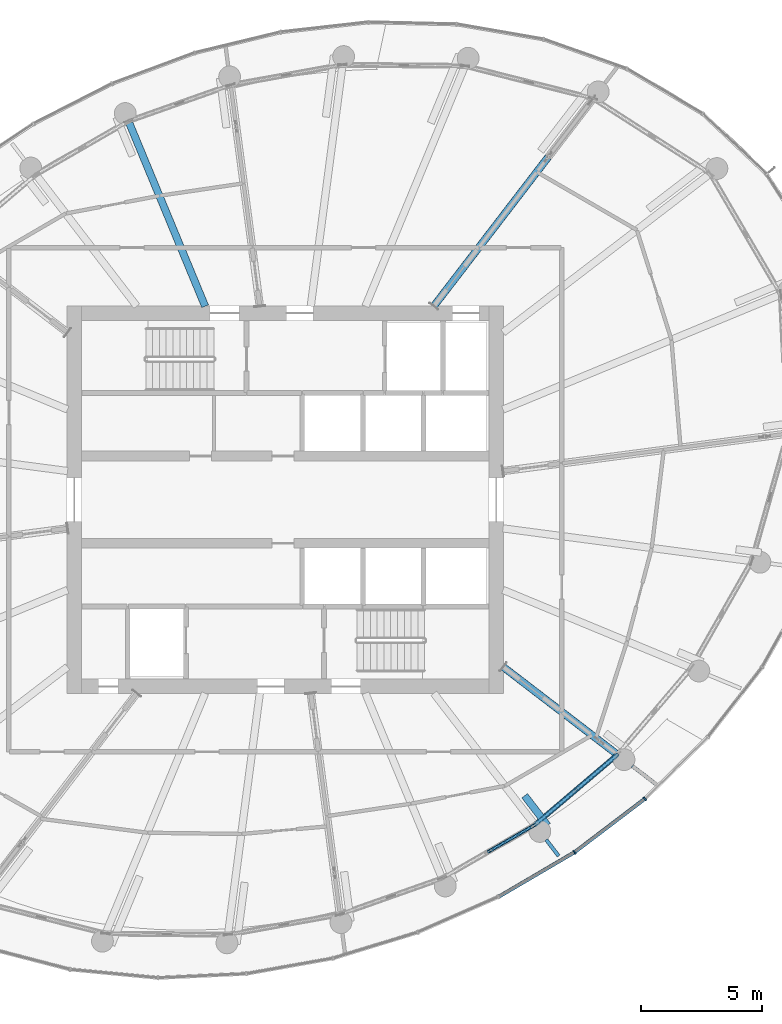
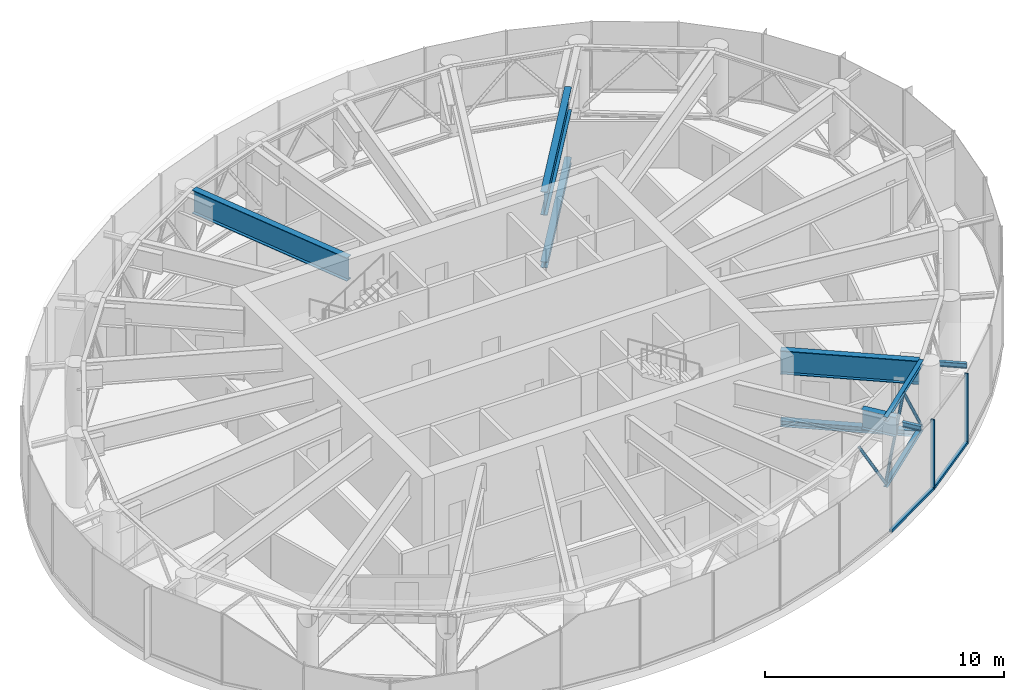
# One storey, part 7 of 26: 11 members, 6 beams, 2 elements without a shape of their own.
"""IFC4 building model written with IfcOpenShell, lengths in metres."""

from ifc_helpers import new_model, si_unit, direction, frame, origin, origin_2d, place, context, subcontext, project, spatial, rectangle, hollow_circle, i_section, extrude, source, transform, mapped, material, layer, layer_set, material_profile, profile_set, type_object, element, aggregate, save


model = new_model("IFC4")

# Units and contexts
model_context = context("Model", 3, precision=1e-05, world=origin(), true_north=direction((0.0, 1.0)))
body_context = subcontext(model_context, "Body", "Model", "MODEL_VIEW")
ifc_project = project(units=[si_unit("LENGTHUNIT", "METRE"), si_unit("AREAUNIT", "SQUARE_METRE"), si_unit("VOLUMEUNIT", "CUBIC_METRE"), si_unit("PLANEANGLEUNIT", "RADIAN"), si_unit("MASSUNIT", "GRAM", prefix="KILO")], contexts=[model_context])

# Site, building, storey
site_placement = place(None, origin())
site = spatial("IfcSite", under=ifc_project, at=site_placement, CompositionType="ELEMENT")
building_placement = place(site_placement, origin())
building = spatial("IfcBuilding", under=site, at=building_placement, Name="Spindrift Exchange Tower", CompositionType="ELEMENT")
storey_placement = place(building_placement, frame((0.0, 0.0, 230.60009765625)))
storey = spatial("IfcBuildingStorey", under=building, at=storey_placement, Name="L56", CompositionType="ELEMENT", Elevation=230.60009765625)

# Beams
ifc_material_1 = material(Name="Steel Grade 300", Category="steel")
ifc_material_profile_1 = material_profile(ifc_material_1, i_section(OverallWidth=0.14599609375, OverallDepth=0.251953125, WebThickness=0.006103515625, FlangeThickness=0.008544921875, FilletRadius=0.011962890625, at=origin_2d()), Name="250UB31.4")
ifc_profile_set_1 = profile_set([ifc_material_profile_1], Name="Steel Grade 300")
beam_type_1 = type_object("IfcBeamType", Name="Cantilever Beam 250UB31.4 Steel Grade 300", PredefinedType="BEAM", material=ifc_profile_set_1)
shared_shape_1 = source(origin(), body_context, "Body", "SweptSolid", [
    extrude(i_section(OverallWidth=0.14599609375, OverallDepth=0.251953125, WebThickness=0.006103515625, FlangeThickness=0.008544921875, FilletRadius=0.011962890625, at=origin_2d()), origin(), (0.0, 0.0, 1.0), 0.845947265625),
])
beam_1_placement = place(storey_placement, frame((62.760986328125, 33.975830078125, 3.453857421875), z_axis=(0.60887368778, -0.793267188487, 0.0), x_axis=(0.793267188487, 0.60887368778, 0.0)))
element("IfcBeam", 1, at=beam_1_placement, inside=storey, type_object=beam_type_1, Name="L56 cantilever beam R21T", PredefinedType="BEAM", context=body_context, shape_type="MappedRepresentation", body=[
    mapped(shared_shape_1, transform((0.0, 0.0, 0.0), scale=1.0)),
])
shared_shape_2 = source(origin(), body_context, "Body", "SweptSolid", [
    extrude(i_section(OverallWidth=0.14599609375, OverallDepth=0.251953125, WebThickness=0.006103515625, FlangeThickness=0.008544921875, FilletRadius=0.011962890625, at=origin_2d()), origin(), (0.0, 0.0, 1.0), 1.15576171875),
])
beam_2_placement = place(storey_placement, frame((66.31201171875, 37.017822265625, 3.453857421875), z_axis=(0.793463533488, -0.608617795521, 0.0), x_axis=(0.608617795521, 0.793463533488, 0.0)))
element("IfcBeam", 2, at=beam_2_placement, inside=storey, type_object=beam_type_1, Name="L56 cantilever beam R22T", PredefinedType="BEAM", context=body_context, shape_type="MappedRepresentation", body=[
    mapped(shared_shape_2, transform((0.0, 0.0, 0.0), scale=1.0)),
])
ifc_material_profile_2 = material_profile(ifc_material_1, i_section(OverallWidth=0.300048828125, OverallDepth=1.199951171875, WebThickness=0.011962890625, FlangeThickness=0.028076171875, at=origin_2d()), Name="1200WB249")
ifc_profile_set_2 = profile_set([ifc_material_profile_2], Name="Steel Grade 300")
beam_type_2 = type_object("IfcBeamType", Name="Transfer Girder 1200WB249 Steel Grade 300", PredefinedType="BEAM", material=ifc_profile_set_2)
shared_shape_3 = source(origin(), body_context, "Body", "SweptSolid", [
    extrude(i_section(OverallWidth=0.300048828125, OverallDepth=1.199951171875, WebThickness=0.011962890625, FlangeThickness=0.028076171875, at=origin_2d()), origin(), (0.0, 0.0, 1.0), 8.1748046875),
])
beam_3_placement = place(storey_placement, frame((48.69384765625, 55.9814453125, 2.97998046875), z_axis=(-0.382655117626, 0.923891260352, 0.0), x_axis=(-0.923891260352, -0.382655117626, 0.0)))
element("IfcBeam", 3, at=beam_3_placement, inside=storey, type_object=beam_type_2, Name="L56 radial beam R08A", PredefinedType="BEAM", context=body_context, shape_type="MappedRepresentation", body=[
    mapped(shared_shape_3, transform((0.0, 0.0, 0.0), scale=1.0)),
])
ifc_material_profile_3 = material_profile(ifc_material_1, i_section(OverallWidth=0.300048828125, OverallDepth=1.199951171875, WebThickness=0.011962890625, FlangeThickness=0.028076171875, at=origin_2d()), Name="1200WB249")
ifc_profile_set_3 = profile_set([ifc_material_profile_3], Name="Steel Grade 300")
beam_type_3 = type_object("IfcBeamType", Name="Outrigger Truss Transfer Girder 1200WB249 Steel Grade 300", PredefinedType="BEAM", material=ifc_profile_set_3)
shared_shape_4 = source(origin(), body_context, "Body", "SweptSolid", [
    extrude(i_section(OverallWidth=0.300048828125, OverallDepth=1.199951171875, WebThickness=0.011962890625, FlangeThickness=0.028076171875, at=origin_2d()), origin(), (0.0, 0.0, 1.0), 7.754150390625),
])
beam_4_placement = place(storey_placement, frame((58.12646484375, 55.984130859375, 2.97998046875), z_axis=(0.608759339456, 0.793354943657, 0.0), x_axis=(-0.793354943657, 0.608759339456, 0.0)))
element("IfcBeam", 4, at=beam_4_placement, inside=storey, type_object=beam_type_3, Name="L56 outrigger truss 04 top chord 1", PredefinedType="BEAM", context=body_context, shape_type="MappedRepresentation", body=[
    mapped(shared_shape_4, transform((0.0, 0.0, 0.0), scale=1.0)),
])

# Member
ifc_material_profile_4 = material_profile(ifc_material_1, i_section(OverallWidth=0.304931640625, OverallDepth=0.30810546875, WebThickness=0.010009765625, FlangeThickness=0.015380859375, FilletRadius=0.0166015625, at=origin_2d()), Name="310UC96.8")
ifc_profile_set_4 = profile_set([ifc_material_profile_4], Name="Steel Grade 300")
member_type_1 = type_object("IfcMemberType", Name="Outrigger Truss Chord 310UC96.8 Steel Grade 300", PredefinedType="CHORD", material=ifc_profile_set_4)
shared_shape_5 = source(origin(), body_context, "Body", "SweptSolid", [
    extrude(i_section(OverallWidth=0.304931640625, OverallDepth=0.30810546875, WebThickness=0.010009765625, FlangeThickness=0.015380859375, FilletRadius=0.0166015625, at=origin_2d()), origin(), (0.0, 0.0, 1.0), 7.754150390625),
])
member_1_placement = place(storey_placement, frame((58.12646484375, 55.984130859375, -0.154052734375), z_axis=(0.608759339456, 0.793354943657, 0.0), x_axis=(-0.793354943657, 0.608759339456, 0.0)))
element("IfcMember", 5, at=member_1_placement, inside=storey, type_object=member_type_1, Name="L56 outrigger truss 04 bottom chord 1", PredefinedType="CHORD", context=body_context, shape_type="MappedRepresentation", body=[
    mapped(shared_shape_5, transform((0.0, 0.0, 0.0), scale=1.0)),
])

# Beam
shared_shape_6 = source(origin(), body_context, "Body", "SweptSolid", [
    extrude(i_section(OverallWidth=0.300048828125, OverallDepth=1.199951171875, WebThickness=0.011962890625, FlangeThickness=0.028076171875, at=origin_2d()), origin(), (0.0, 0.0, 1.0), 5.855712890625),
])
beam_5_placement = place(storey_placement, frame((60.984130859375, 41.106201171875, 2.97998046875), z_axis=(0.793362708479, -0.608749219954, 0.0), x_axis=(0.608749219954, 0.793362708479, 0.0)))
element("IfcBeam", 6, at=beam_5_placement, inside=storey, type_object=beam_type_3, Name="L56 outrigger truss 22 top chord 1", PredefinedType="BEAM", context=body_context, shape_type="MappedRepresentation", body=[
    mapped(shared_shape_6, transform((0.0, 0.0, 0.0), scale=1.0)),
])

# Members
shared_shape_7 = source(origin(), body_context, "Body", "SweptSolid", [
    extrude(i_section(OverallWidth=0.304931640625, OverallDepth=0.30810546875, WebThickness=0.010009765625, FlangeThickness=0.015380859375, FilletRadius=0.0166015625, at=origin_2d()), origin(), (0.0, 0.0, 1.0), 5.855712890625),
])
member_2_placement = place(storey_placement, frame((60.984130859375, 41.106201171875, -0.154052734375), z_axis=(0.793362708479, -0.608749219954, 0.0), x_axis=(0.608749219954, 0.793362708479, 0.0)))
element("IfcMember", 7, at=member_2_placement, inside=storey, type_object=member_type_1, Name="L56 outrigger truss 22 bottom chord 1", PredefinedType="CHORD", context=body_context, shape_type="MappedRepresentation", body=[
    mapped(shared_shape_7, transform((0.0, 0.0, 0.0), scale=1.0)),
])
ifc_material_2 = material(Name="Steel Grade 350", Category="steel")
ifc_material_profile_5 = material_profile(ifc_material_2, hollow_circle(Radius=0.06982421875, WallThickness=0.00537109375, at=origin_2d()), Name="139.7x5.4CHS")
ifc_profile_set_5 = profile_set([ifc_material_profile_5], Name="Steel Grade 350")
member_type_2 = type_object("IfcMemberType", Name="Belt Truss Diagonal 139.7x5.4CHS Steel Grade 350", PredefinedType="BRACE", material=ifc_profile_set_5)
shared_shape_8 = source(origin(), body_context, "Body", "SweptSolid", [
    extrude(hollow_circle(Radius=0.06982421875, WallThickness=0.00537109375, at=origin_2d()), origin(), (0.0, 0.0, 1.0), 3.86572265625),
])
member_3_placement = place(storey_placement, frame((60.380615234375, 33.484619140625, 3.376953125), z_axis=(0.494509891978, 0.285085268504, -0.821088519234), x_axis=(-0.499447844147, 0.866343956507, 0.0)))
element("IfcMember", 8, at=member_3_placement, inside=storey, type_object=member_type_2, Name="L56 belt truss 20 diagonal 2", PredefinedType="BRACE", context=body_context, shape_type="MappedRepresentation", body=[
    mapped(shared_shape_8, transform((0.0, 0.0, 0.0), scale=1.0)),
])
ifc_material_profile_6 = material_profile(ifc_material_1, i_section(OverallWidth=0.202880859375, OverallDepth=0.202880859375, WebThickness=0.00732421875, FlangeThickness=0.010986328125, FilletRadius=0.012939453125, at=origin_2d()), Name="200UC46.2")
ifc_profile_set_6 = profile_set([ifc_material_profile_6], Name="Steel Grade 300")
member_type_3 = type_object("IfcMemberType", Name="Belt Truss Chord 200UC46.2 Steel Grade 300", PredefinedType="CHORD", material=ifc_profile_set_6)
shared_shape_9 = source(origin(), body_context, "Body", "SweptSolid", [
    extrude(i_section(OverallWidth=0.202880859375, OverallDepth=0.202880859375, WebThickness=0.00732421875, FlangeThickness=0.010986328125, FilletRadius=0.012939453125, at=origin_2d()), origin(), (0.0, 0.0, 1.0), 4.475830078125),
])
for number, where, z_axis, x_axis, name in (
    (9, (62.292236328125, 34.586669921875, 3.478515625), (0.76168085615, 0.64795236968, 0.0), (-0.64795236968, 0.76168085615, 0.0), "L56 belt truss 21 top chord"),
    (10, (62.292236328125, 34.586669921875, 0.101318359375), (0.76168085615, 0.64795236968, 0.0), (-0.64795236968, 0.76168085615, 0.0), "L56 belt truss 21 bottom chord"),
):
    element("IfcMember", number, at=place(storey_placement, frame(where, z_axis=z_axis, x_axis=x_axis)), inside=storey, type_object=member_type_3, Name=name, PredefinedType="CHORD", context=body_context, shape_type="MappedRepresentation", body=[
        mapped(shared_shape_9, transform((0.0, 0.0, 0.0), scale=1.0)),
    ])
shared_shape_10 = source(origin(), body_context, "Body", "SweptSolid", [
    extrude(hollow_circle(Radius=0.06982421875, WallThickness=0.00537109375, at=origin_2d()), origin(), (0.0, 0.0, 1.0), 3.883544921875),
])
member_4_placement = place(storey_placement, frame((62.292236328125, 34.586669921875, 0.202880859375), z_axis=(0.438914639704, 0.373347757835, 0.817291496819), x_axis=(-0.647920722698, 0.761707776709, 0.0)))
element("IfcMember", 11, at=member_4_placement, inside=storey, type_object=member_type_2, Name="L56 belt truss 21 diagonal 1", PredefinedType="BRACE", context=body_context, shape_type="MappedRepresentation", body=[
    mapped(shared_shape_10, transform((0.0, 0.0, 0.0), scale=1.0)),
])
shared_shape_11 = source(origin(), body_context, "Body", "SweptSolid", [
    extrude(hollow_circle(Radius=0.06982421875, WallThickness=0.00537109375, at=origin_2d()), origin(), (0.0, 0.0, 1.0), 3.8837890625),
])
member_5_placement = place(storey_placement, frame((63.996826171875, 36.03662109375, 3.376953125), z_axis=(0.438904337857, 0.373401857186, -0.817272314018), x_axis=(-0.647984013307, 0.76165393618, 0.0)))
element("IfcMember", 12, at=member_5_placement, inside=storey, type_object=member_type_2, Name="L56 belt truss 21 diagonal 2", PredefinedType="BRACE", context=body_context, shape_type="MappedRepresentation", body=[
    mapped(shared_shape_11, transform((0.0, 0.0, 0.0), scale=1.0)),
])

# Beam
ifc_material_profile_7 = material_profile(ifc_material_1, i_section(OverallWidth=0.300048828125, OverallDepth=1.0, WebThickness=0.010009765625, FlangeThickness=0.02001953125, at=origin_2d()), Name="1000WB215")
ifc_profile_set_7 = profile_set([ifc_material_profile_7], Name="Steel Grade 300")
beam_type_4 = type_object("IfcBeamType", Name="Transfer Tie Beam 1000WB215 Steel Grade 300", PredefinedType="BEAM", material=ifc_profile_set_7)
shared_shape_12 = source(origin(), body_context, "Body", "SweptSolid", [
    extrude(i_section(OverallWidth=0.300048828125, OverallDepth=1.0, WebThickness=0.010009765625, FlangeThickness=0.02001953125, at=origin_2d()), origin(), (0.0, 0.0, 1.0), 1.550048828125),
])
beam_6_placement = place(storey_placement, frame((62.816650390625, 34.560546875, 2.97998046875), z_axis=(-0.608758847671, 0.793355321014, 0.0), x_axis=(-0.793355321014, -0.608758847671, 0.0)))
element("IfcBeam", 13, at=beam_6_placement, inside=storey, type_object=beam_type_4, Name="L56 transfer tie beam K21", PredefinedType="BEAM", context=body_context, shape_type="MappedRepresentation", body=[
    mapped(shared_shape_12, transform((0.0, 0.0, 0.0), scale=1.0)),
])

# Curtain wall, member
ifc_material_3 = material(Name="Fritted laminated glass with bronze frame", Category="glass")
ifc_layer = layer(ifc_material_3, 0.169921875)
ifc_layer_set = layer_set([ifc_layer], Name="ZONE 4 BRONZE FRITTED WALL")
curtain_wall_type = type_object("IfcCurtainWallType", Name="ZONE 4 BRONZE FRITTED WALL", PredefinedType="NOTDEFINED", material=ifc_layer_set)
curtain_wall_1_placement = place(storey_placement, origin())
curtain_wall_1 = element("IfcCurtainWall", 14, at=curtain_wall_1_placement, inside=storey, type_object=curtain_wall_type, Name="L56 Zone 4 Bronze Fritted Wall run 5", PredefinedType="NOTDEFINED")
ifc_material_4 = material(Name="Bronze anodised aluminium", Category="aluminium")
ifc_material_profile_8 = material_profile(ifc_material_4, rectangle(XDim=0.06494140625, YDim=0.169921875, at=origin_2d()), Name="ZONE 4 BRONZE FRITTED WALL MULLION 65X170")
ifc_profile_set_8 = profile_set([ifc_material_profile_8], Name="Bronze anodised aluminium")
member_type_4 = type_object("IfcMemberType", Name="ZONE 4 BRONZE FRITTED WALL MULLION 65X170", PredefinedType="MULLION", material=ifc_profile_set_8)
shared_shape_13 = source(origin(), body_context, "Body", "SweptSolid", [
    extrude(rectangle(XDim=0.06494140625, YDim=0.169921875, at=origin_2d()), origin(), (0.0, 0.0, 1.0), 3.579833984375),
])
member_6_placement = place(storey_placement, frame((63.933349609375, 33.4599609375, 0.0), z_axis=(0.0, 0.0, 1.0), x_axis=(0.830780052853, 0.556600847808, 0.0)))
member_6 = element("IfcMember", 15, at=member_6_placement, type_object=member_type_4, Name="L56 mullion CW-4.30", PredefinedType="MULLION", context=body_context, shape_type="MappedRepresentation", body=[
    mapped(shared_shape_13, transform((0.0, 0.0, 0.0), scale=1.0)),
])

curtain_wall_2_placement = place(storey_placement, origin())
curtain_wall_2 = element("IfcCurtainWall", 16, at=curtain_wall_2_placement, inside=storey, type_object=curtain_wall_type, Name="L56 Zone 4 Bronze Fritted Wall run 6", PredefinedType="NOTDEFINED")
member_7_placement = place(storey_placement, frame((66.833740234375, 35.663818359375, 0.0), z_axis=(0.0, 0.0, 1.0), x_axis=(0.756944770417, 0.653478855464, 0.0)))
member_7 = element("IfcMember", 17, at=member_7_placement, type_object=member_type_4, Name="L56 mullion CW-4.31", PredefinedType="MULLION", context=body_context, shape_type="MappedRepresentation", body=[
    mapped(shared_shape_13, transform((0.0, 0.0, 0.0), scale=1.0)),
])
aggregate(curtain_wall_2, [member_7])

# Member
ifc_material_profile_9 = material_profile(ifc_material_4, rectangle(XDim=0.14990234375, YDim=0.125, at=origin_2d()), Name="ZONE 4 BRONZE FRITTED WALL TRANSOM 150X125")
ifc_profile_set_9 = profile_set([ifc_material_profile_9], Name="Bronze anodised aluminium")
member_type_5 = type_object("IfcMemberType", Name="ZONE 4 BRONZE FRITTED WALL TRANSOM 150X125", PredefinedType="USERDEFINED", material=ifc_profile_set_9)
shared_shape_14 = source(origin(), body_context, "Body", "SweptSolid", [
    extrude(rectangle(XDim=0.14990234375, YDim=0.125, at=origin_2d()), origin(), (0.0, 0.0, 1.0), 3.57763671875),
])
member_8_placement = place(storey_placement, frame((63.959228515625, 33.479736328125, 0.0625), z_axis=(0.796250291518, 0.604967332388, 0.0), x_axis=(-0.604967332388, 0.796250291518, 0.0)))
member_8 = element("IfcMember", 18, at=member_8_placement, type_object=member_type_5, Name="L56 transom CW-4.30", ObjectType="TRANSOM", PredefinedType="USERDEFINED", context=body_context, shape_type="MappedRepresentation", body=[
    mapped(shared_shape_14, transform((0.0, 0.0, 0.0), scale=1.0)),
])

shared_shape_15 = source(origin(), body_context, "Body", "SweptSolid", [
    extrude(rectangle(XDim=0.14990234375, YDim=0.125, at=origin_2d()), origin(), (0.0, 0.0, 1.0), 3.577880859375),
])
member_9_placement = place(storey_placement, frame((60.81982421875, 31.63232421875, 0.0625), z_axis=(0.862384697585, 0.506253526775, 0.0), x_axis=(-0.506253526775, 0.862384697585, 0.0)))
member_9 = element("IfcMember", 19, at=member_9_placement, type_object=member_type_5, Name="L56 transom CW-4.29", ObjectType="TRANSOM", PredefinedType="USERDEFINED", context=body_context, shape_type="MappedRepresentation", body=[
    mapped(shared_shape_15, transform((0.0, 0.0, 0.0), scale=1.0)),
])

aggregate(curtain_wall_1, [member_9, member_6, member_8])

save(model, "model.ifc")
